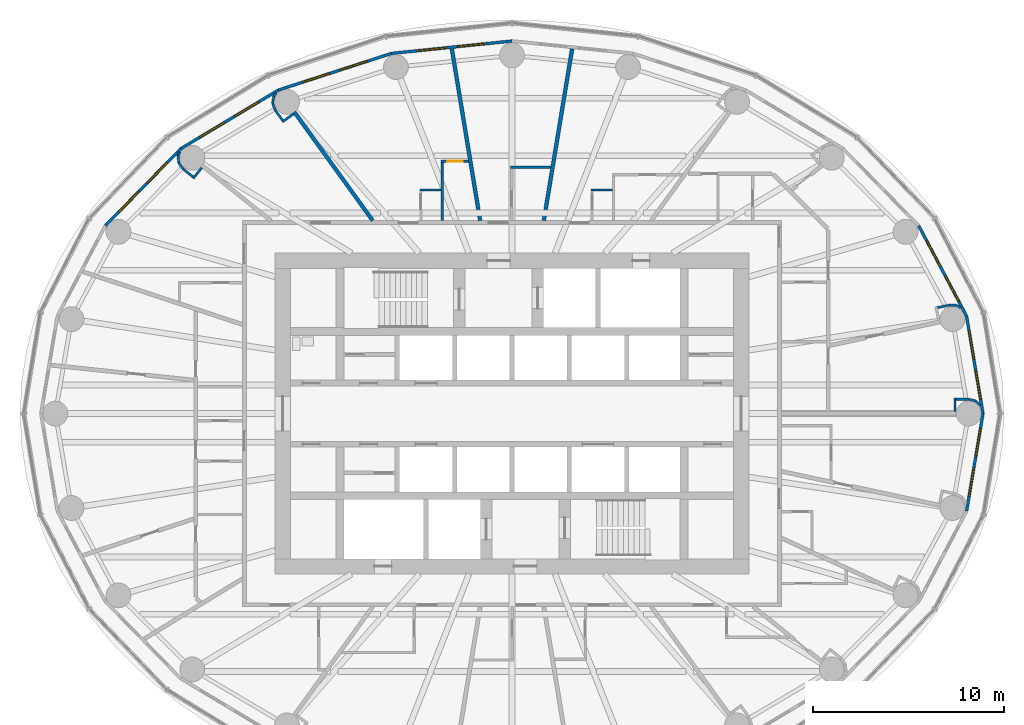
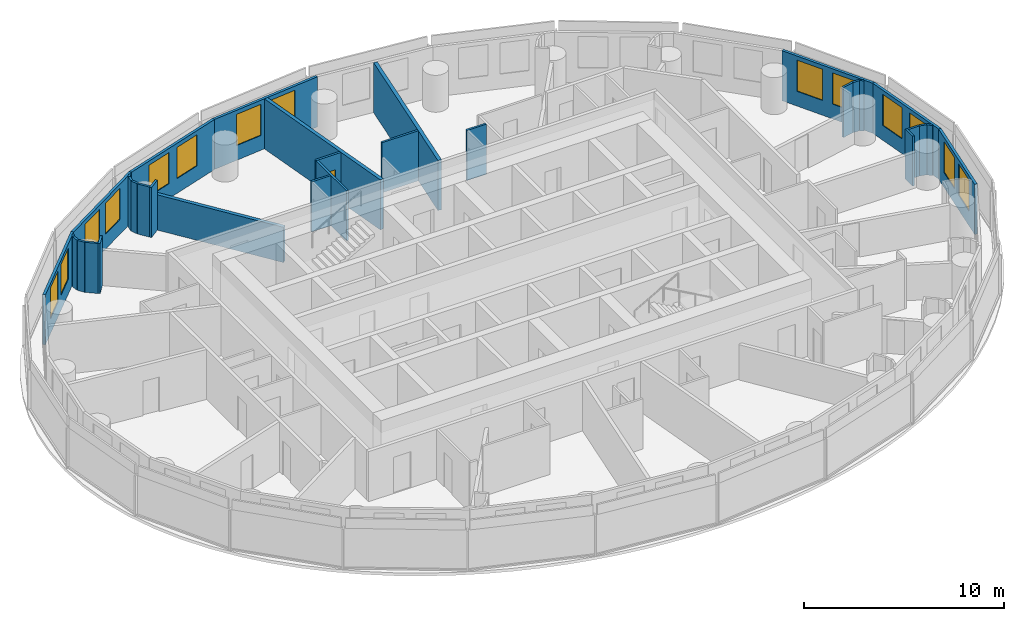
# One storey, part 11 of 14: 32 walls, 14 windows, 1 door, 15 openings.
"""IFC4 building model written with IfcOpenShell, lengths in metres."""

import ifcopenshell
import ifcopenshell.guid

model = None  # the IFC model being written
_history = None  # IfcOwnerHistory: only IFC2X3 demands one
_inside = {}  # id of a spatial element -> (the spatial element, [elements in it])
_under = {}  # id of a project, library or spatial element -> (it, [spatial elements below it])
_declared = {}  # id of a project -> (the project, [libraries it declares])
_typed = {}  # id of a type object -> (the type object, [elements of that type])
_made_of = {}  # id of a material, layer set ... -> (it, [elements and type objects made of it])


def new_model(schema):
    """Start an empty IFC model of exactly this schema.

    Asked for "IFC4X3", IfcOpenShell would pick the latest addendum, in which some entities
    have other attributes; the version numbers below select the first issue.
    IFC2X3 requires an IfcOwnerHistory on every rooted entity: one is made here for all.
    """
    global model, _history
    if schema == "IFC4X3":
        model = ifcopenshell.file(schema_version=(4, 3, 0, 0))
    else:
        model = ifcopenshell.file(schema=schema)
    _inside.clear()
    _under.clear()
    _declared.clear()
    _typed.clear()
    _made_of.clear()
    _history = None
    if model.schema == "IFC2X3":
        org = make("IfcOrganization", Name="unknown")
        user = make(
            "IfcPersonAndOrganization",
            ThePerson=make("IfcPerson", FamilyName="unknown"),
            TheOrganization=org,
        )
        app = make(
            "IfcApplication",
            ApplicationDeveloper=org,
            Version="unknown",
            ApplicationFullName="unknown",
            ApplicationIdentifier="unknown",
        )
        _history = make(
            "IfcOwnerHistory",
            OwningUser=user,
            OwningApplication=app,
            ChangeAction="ADDED",
            CreationDate=0,
        )
    return model


def make(cls, **values):
    """One entity of the class cls with the attributes given. An attribute that is None is left unset."""
    return model.create_entity(
        cls, **{name: value for name, value in values.items() if value is not None}
    )


def rooted(cls, **values):
    """An entity with a GlobalId (a new one), such as an element, a storey or a relation."""
    return make(cls, GlobalId=ifcopenshell.guid.new(), OwnerHistory=_history, **values)


def si_unit(unit_type, name, prefix=None):
    """IfcSIUnit, for example si_unit("LENGTHUNIT", "METRE", prefix="MILLI")."""
    return make("IfcSIUnit", UnitType=unit_type, Prefix=prefix, Name=name)


def assignment(units):
    """IfcUnitAssignment: the units of a project."""
    return None if units is None else make("IfcUnitAssignment", Units=units)


def point(xyz):
    """IfcCartesianPoint."""
    return None if xyz is None else make("IfcCartesianPoint", Coordinates=xyz)


def direction(xyz):
    """IfcDirection."""
    return None if xyz is None else make("IfcDirection", DirectionRatios=xyz)


def frame(location, z_axis=None, x_axis=None):
    """IfcAxis2Placement3D, a coordinate frame: its origin and axes. An axis left out is left unset."""
    return make(
        "IfcAxis2Placement3D",
        Location=point(location),
        Axis=direction(z_axis),
        RefDirection=direction(x_axis),
    )


def frame_2d(location, x_axis=None):
    """IfcAxis2Placement2D, a coordinate frame in the plane: its origin and x axis."""
    return make(
        "IfcAxis2Placement2D", Location=point(location), RefDirection=direction(x_axis)
    )


def origin():
    """The frame at (0, 0, 0) with its axes left unset."""
    return frame((0.0, 0.0, 0.0))


def place(relative_to, where):
    """IfcLocalPlacement: puts the frame where relative to a parent placement (None: the world)."""
    return make(
        "IfcLocalPlacement", PlacementRelTo=relative_to, RelativePlacement=where
    )


def context(
    kind, dimensions, precision=None, world=None, true_north=None, identifier=None
):
    """IfcGeometricRepresentationContext, for example the 3D "Model" context."""
    return make(
        "IfcGeometricRepresentationContext",
        ContextIdentifier=identifier,
        ContextType=kind,
        CoordinateSpaceDimension=dimensions,
        Precision=precision,
        WorldCoordinateSystem=world,
        TrueNorth=true_north,
    )


def subcontext(parent, identifier, kind, view, scale=None):
    """IfcGeometricRepresentationSubContext, for example "Body" below "Model"."""
    return make(
        "IfcGeometricRepresentationSubContext",
        ContextIdentifier=identifier,
        ContextType=kind,
        ParentContext=parent,
        TargetScale=scale,
        TargetView=view,
    )


def project(units=None, contexts=None):
    """IfcProject with its units and contexts."""
    return rooted(
        "IfcProject",
        Name="project",
        RepresentationContexts=contexts,
        UnitsInContext=assignment(units),
    )


def spatial(cls, under=None, at=None, **own):
    """A site, building, storey or space (cls), placed at a placement, below another one or the project."""
    s = rooted(cls, ObjectPlacement=at, **own)
    if under is not None:
        _under.setdefault(under.id(), (under, []))[1].append(s)
    return s


def profile(cls, at=None, kind="AREA", **sizes):
    """A parametric profile (cls). Its sizes go by their IFC names, for example OverallWidth=200.0."""
    return make(cls, ProfileType=kind, Position=at, **sizes)


def rectangle(**sizes):
    """IfcRectangleProfileDef."""
    return profile("IfcRectangleProfileDef", **sizes)


def extrude(swept, where, along, depth):
    """IfcExtrudedAreaSolid: the profile swept, set in the frame where, extruded along a direction by depth."""
    return make(
        "IfcExtrudedAreaSolid",
        SweptArea=swept,
        Position=where,
        ExtrudedDirection=direction(along),
        Depth=depth,
    )


def shape(context_of_items, identifier, shape_type, items):
    """IfcShapeRepresentation: the items that make up one representation, for example the "Body"."""
    return make(
        "IfcShapeRepresentation",
        ContextOfItems=context_of_items,
        RepresentationIdentifier=identifier,
        RepresentationType=shape_type,
        Items=items,
    )


def material(Name=None, Category=None):
    """IfcMaterial."""
    return make("IfcMaterial", Name=Name, Category=Category)


def layer(
    of_material, thickness, ventilated=None, Name=None, Category=None, Priority=None
):
    """IfcMaterialLayer: one layer of a wall or slab, of a material (None: an air gap)."""
    return make(
        "IfcMaterialLayer",
        Material=of_material,
        LayerThickness=thickness,
        IsVentilated=ventilated,
        Name=Name,
        Category=Category,
        Priority=Priority,
    )


def layer_set(layers, Name=None):
    """IfcMaterialLayerSet."""
    return make("IfcMaterialLayerSet", MaterialLayers=layers, LayerSetName=Name)


def made_of(thing, what):
    """Note that an element or type object is made of a material, layer set ...; save() writes the relation."""
    if what is not None:
        _made_of.setdefault(what.id(), (what, []))[1].append(thing)
    return thing


def type_object(cls, material=None, **own):
    """A type object (cls), such as IfcWallType, which elements share."""
    return made_of(rooted(cls, **own), material)


def element(
    cls,
    number,
    at=None,
    inside=None,
    cuts=None,
    type_object=None,
    material=None,
    context=None,
    identifier="Body",
    shape_type=None,
    held_by="IfcProductDefinitionShape",
    body=None,
    shapes=None,
    **own,
):
    """One element of the class cls, such as IfcWall. Its Tag is "e" and its number.

    at: its placement. inside: the storey or other place that contains it. cuts: it is an
    opening in that element (IfcRelVoidsElement). A single representation is given by context,
    identifier, shape_type and body (its items); several are given by shapes. held_by: the class
    of the entity that holds the representations. save() writes the other relations.
    """
    e = rooted(cls, Tag="e%d" % number, ObjectPlacement=at, **own)
    if body is not None:
        shapes = [shape(context, identifier, shape_type, body)]
    if shapes is not None:
        e.Representation = make(held_by, Representations=shapes)
    if inside is not None:
        _inside.setdefault(inside.id(), (inside, []))[1].append(e)
    if cuts is not None:
        rooted(
            "IfcRelVoidsElement", RelatingBuildingElement=cuts, RelatedOpeningElement=e
        )
    if type_object is not None:
        _typed.setdefault(type_object.id(), (type_object, []))[1].append(e)
    return made_of(e, material)


def fill(opening, filler):
    """IfcRelFillsElement: the door or window that sits in an opening."""
    return rooted(
        "IfcRelFillsElement",
        RelatingOpeningElement=opening,
        RelatedBuildingElement=filler,
    )


def aggregate(whole, parts):
    """IfcRelAggregates: a whole, such as a stair, and the parts it consists of."""
    return rooted("IfcRelAggregates", RelatingObject=whole, RelatedObjects=parts)


def save(model, path):
    """Write the relations noted so far, then the file.

    IfcRelAggregates (storeys below a building ...), IfcRelContainedInSpatialStructure (elements
    in a storey), IfcRelDefinesByType, IfcRelAssociatesMaterial and IfcRelDeclares: one each for
    every whole, place, type object, material and project.
    """
    for whole, parts in _under.values():
        aggregate(whole, parts)
    for where, things in _inside.values():
        rooted(
            "IfcRelContainedInSpatialStructure",
            RelatedElements=things,
            RelatingStructure=where,
        )
    for kind, things in _typed.values():
        rooted("IfcRelDefinesByType", RelatedObjects=things, RelatingType=kind)
    for what, things in _made_of.values():
        rooted("IfcRelAssociatesMaterial", RelatedObjects=things, RelatingMaterial=what)
    for by, libraries in _declared.values():
        rooted("IfcRelDeclares", RelatingContext=by, RelatedDefinitions=libraries)
    model.write(path)


model = new_model("IFC4")

# Units and contexts
model_context = context("Model", 3, precision=1e-05, world=origin(), true_north=direction((0.0, 1.0)))
body_context = subcontext(model_context, "Body", "Model", "MODEL_VIEW")
ifc_project = project(units=[si_unit("LENGTHUNIT", "METRE"), si_unit("AREAUNIT", "SQUARE_METRE"), si_unit("VOLUMEUNIT", "CUBIC_METRE"), si_unit("PLANEANGLEUNIT", "RADIAN"), si_unit("MASSUNIT", "GRAM", prefix="KILO")], contexts=[model_context])

# Site, building, storey
site_placement = place(None, origin())
site = spatial("IfcSite", under=ifc_project, at=site_placement, CompositionType="ELEMENT")
building_placement = place(site_placement, origin())
building = spatial("IfcBuilding", under=site, at=building_placement, Name="Hankou Lantern Tower", CompositionType="ELEMENT")
storey_placement = place(building_placement, frame((0.0, 0.0, 135.300048828125)))
storey = spatial("IfcBuildingStorey", under=building, at=storey_placement, Name="L35", CompositionType="ELEMENT", Elevation=135.300048828125)

# Wall, openings, windows
ifc_material_1 = material(Name="Aluminium spandrel panel on steel studs", Category="steel")
ifc_layer_1 = layer(ifc_material_1, 0.14990234375)
ifc_layer_set_1 = layer_set([ifc_layer_1], Name="Aluminium spandrel panel on steel studs")
wall_type_1 = type_object("IfcWallType", Name="EW1 INNER SKIN WALL 150", PredefinedType="ELEMENTEDWALL", material=ifc_layer_set_1)
wall_1_placement = place(storey_placement, frame((24.64990234375, 0.0, 0.0), z_axis=(0.0, 0.0, 1.0), x_axis=(-0.165883894218, 0.986145290329, 0.0)))
wall_1 = element("IfcWall", 1, at=wall_1_placement, inside=storey, type_object=wall_type_1, Name="Inner skin R01-R02 L35", PredefinedType="ELEMENTEDWALL", context=body_context, shape_type="SweptSolid", body=[
    extrude(rectangle(XDim=5.171630859375, YDim=0.14990234375, at=frame_2d((2.5859375, 0.0))), origin(), (0.0, 0.0, 1.0), 3.050048828125),
])
opening_1_placement = place(wall_1_placement, frame((0.785888671875, 0.0, 0.89990234375)))
opening_1 = element("IfcOpeningElement", 2, at=opening_1_placement, cuts=wall_1, Name="Opening W2", PredefinedType="OPENING", context=body_context, shape_type="SweptSolid", body=[
    extrude(rectangle(XDim=1.5, YDim=1.89990234375, at=frame_2d((0.75, 0.949951171875))), frame((0.0, 0.0849609375, 0.0), z_axis=(0.0, -1.0, 0.0), x_axis=(1.0, 0.0, 0.0)), (0.0, 0.0, 1.0), 0.169921875),
])
opening_2_placement = place(wall_1_placement, frame((2.8857421875, 0.0, 0.89990234375)))
opening_2 = element("IfcOpeningElement", 3, at=opening_2_placement, cuts=wall_1, Name="Opening W2", PredefinedType="OPENING", context=body_context, shape_type="SweptSolid", body=[
    extrude(rectangle(XDim=1.5, YDim=1.89990234375, at=frame_2d((0.75, 0.949951171875))), frame((0.0, 0.0849609375, 0.0), z_axis=(0.0, -1.0, 0.0), x_axis=(1.0, 0.0, 0.0)), (0.0, 0.0, 1.0), 0.169921875),
])
ifc_material_2 = material(Name="Aluminium framed double glazed window", Category="aluminium")
window_type = type_object("IfcWindowType", Name="W2 GUEST ROOM WINDOW 1500X1900", PartitioningType="DOUBLE_PANEL_VERTICAL", PredefinedType="WINDOW", material=ifc_material_2)
window_1_placement = place(opening_1_placement, origin())
window_1 = element("IfcWindow", 4, at=window_1_placement, inside=storey, type_object=window_type, Name="Window R01.1 L35", OverallHeight=1.89990234375, OverallWidth=1.5, PartitioningType="SINGLE_PANEL", PredefinedType="WINDOW", context=body_context, shape_type="SweptSolid", body=[
    extrude(rectangle(XDim=1.5, YDim=1.89990234375, at=frame_2d((0.75, 0.949951171875))), frame((0.0, 0.030029296875, 0.0), z_axis=(0.0, -1.0, 0.0), x_axis=(1.0, 0.0, 0.0)), (0.0, 0.0, 1.0), 0.06005859375),
])
fill(opening_1, window_1)
window_2_placement = place(opening_2_placement, origin())
window_2 = element("IfcWindow", 5, at=window_2_placement, inside=storey, type_object=window_type, Name="Window R01.2 L35", OverallHeight=1.89990234375, OverallWidth=1.5, PartitioningType="SINGLE_PANEL", PredefinedType="WINDOW", context=body_context, shape_type="SweptSolid", body=[
    extrude(rectangle(XDim=1.5, YDim=1.89990234375, at=frame_2d((0.75, 0.949951171875))), frame((0.0, 0.030029296875, 0.0), z_axis=(0.0, -1.0, 0.0), x_axis=(1.0, 0.0, 0.0)), (0.0, 0.0, 1.0), 0.06005859375),
])
fill(opening_2, window_2)

wall_2_placement = place(storey_placement, frame((23.7919921875, 5.10009765625, 0.0), z_axis=(0.0, 0.0, 1.0), x_axis=(-0.467814388454, 0.883826735257, 0.0)))
wall_2 = element("IfcWall", 6, at=wall_2_placement, inside=storey, type_object=wall_type_1, Name="Inner skin R02-R03 L35", PredefinedType="ELEMENTEDWALL", context=body_context, shape_type="SweptSolid", body=[
    extrude(rectangle(XDim=5.35400390625, YDim=0.14990234375, at=frame_2d((2.677001953125, 0.0))), origin(), (0.0, 0.0, 1.0), 3.050048828125),
])
opening_3_placement = place(wall_2_placement, frame((0.876953125, 0.0, 0.89990234375)))
opening_3 = element("IfcOpeningElement", 7, at=opening_3_placement, cuts=wall_2, Name="Opening W2", PredefinedType="OPENING", context=body_context, shape_type="SweptSolid", body=[
    extrude(rectangle(XDim=1.5, YDim=1.89990234375, at=frame_2d((0.75, 0.949951171875))), frame((0.0, 0.0849609375, 0.0), z_axis=(0.0, -1.0, 0.0), x_axis=(1.0, 0.0, 0.0)), (0.0, 0.0, 1.0), 0.169921875),
])
opening_4_placement = place(wall_2_placement, frame((2.97705078125, 0.0, 0.89990234375)))
opening_4 = element("IfcOpeningElement", 8, at=opening_4_placement, cuts=wall_2, Name="Opening W2", PredefinedType="OPENING", context=body_context, shape_type="SweptSolid", body=[
    extrude(rectangle(XDim=1.5, YDim=1.89990234375, at=frame_2d((0.75, 0.949951171875))), frame((0.0, 0.0849609375, 0.0), z_axis=(0.0, -1.0, 0.0), x_axis=(1.0, 0.0, 0.0)), (0.0, 0.0, 1.0), 0.169921875),
])
window_3_placement = place(opening_3_placement, origin())
window_3 = element("IfcWindow", 9, at=window_3_placement, inside=storey, type_object=window_type, Name="Window R02.1 L35", OverallHeight=1.89990234375, OverallWidth=1.5, PartitioningType="SINGLE_PANEL", PredefinedType="WINDOW", context=body_context, shape_type="SweptSolid", body=[
    extrude(rectangle(XDim=1.5, YDim=1.89990234375, at=frame_2d((0.75, 0.949951171875))), frame((0.0, 0.030029296875, 0.0), z_axis=(0.0, -1.0, 0.0), x_axis=(1.0, 0.0, 0.0)), (0.0, 0.0, 1.0), 0.06005859375),
])
fill(opening_3, window_3)
window_4_placement = place(opening_4_placement, origin())
window_4 = element("IfcWindow", 10, at=window_4_placement, inside=storey, type_object=window_type, Name="Window R02.2 L35", OverallHeight=1.89990234375, OverallWidth=1.5, PartitioningType="SINGLE_PANEL", PredefinedType="WINDOW", context=body_context, shape_type="SweptSolid", body=[
    extrude(rectangle(XDim=1.5, YDim=1.89990234375, at=frame_2d((0.75, 0.949951171875))), frame((0.0, 0.030029296875, 0.0), z_axis=(0.0, -1.0, 0.0), x_axis=(1.0, 0.0, 0.0)), (0.0, 0.0, 1.0), 0.06005859375),
])
fill(opening_4, window_4)

wall_3_placement = place(storey_placement, frame((0.0, 19.5, 0.0), z_axis=(0.0, 0.0, 1.0), x_axis=(-0.994735690163, -0.102473931887, 0.0)))
wall_3 = element("IfcWall", 11, at=wall_3_placement, inside=storey, type_object=wall_type_1, Name="Inner skin R07-R08 L35", PredefinedType="ELEMENTEDWALL", context=body_context, shape_type="SweptSolid", body=[
    extrude(rectangle(XDim=6.346923828125, YDim=0.14990234375, at=frame_2d((3.17333984375, 0.0))), origin(), (0.0, 0.0, 1.0), 3.050048828125),
])
opening_5_placement = place(wall_3_placement, frame((1.373291015625, 0.0, 0.89990234375)))
opening_5 = element("IfcOpeningElement", 12, at=opening_5_placement, cuts=wall_3, Name="Opening W2", PredefinedType="OPENING", context=body_context, shape_type="SweptSolid", body=[
    extrude(rectangle(XDim=1.5, YDim=1.89990234375, at=frame_2d((0.75, 0.949951171875))), frame((0.0, 0.0849609375, 0.0), z_axis=(0.0, -1.0, 0.0), x_axis=(1.0, 0.0, 0.0)), (0.0, 0.0, 1.0), 0.169921875),
])
opening_6_placement = place(wall_3_placement, frame((3.473388671875, 0.0, 0.89990234375)))
opening_6 = element("IfcOpeningElement", 13, at=opening_6_placement, cuts=wall_3, Name="Opening W2", PredefinedType="OPENING", context=body_context, shape_type="SweptSolid", body=[
    extrude(rectangle(XDim=1.5, YDim=1.89990234375, at=frame_2d((0.75, 0.949951171875))), frame((0.0, 0.0849609375, 0.0), z_axis=(0.0, -1.0, 0.0), x_axis=(1.0, 0.0, 0.0)), (0.0, 0.0, 1.0), 0.169921875),
])
window_5_placement = place(opening_5_placement, origin())
window_5 = element("IfcWindow", 14, at=window_5_placement, inside=storey, type_object=window_type, Name="Window R07.1 L35", OverallHeight=1.89990234375, OverallWidth=1.5, PartitioningType="SINGLE_PANEL", PredefinedType="WINDOW", context=body_context, shape_type="SweptSolid", body=[
    extrude(rectangle(XDim=1.5, YDim=1.89990234375, at=frame_2d((0.75, 0.949951171875))), frame((0.0, 0.030029296875, 0.0), z_axis=(0.0, -1.0, 0.0), x_axis=(1.0, 0.0, 0.0)), (0.0, 0.0, 1.0), 0.06005859375),
])
fill(opening_5, window_5)
window_6_placement = place(opening_6_placement, origin())
window_6 = element("IfcWindow", 15, at=window_6_placement, inside=storey, type_object=window_type, Name="Window R07.2 L35", OverallHeight=1.89990234375, OverallWidth=1.5, PartitioningType="SINGLE_PANEL", PredefinedType="WINDOW", context=body_context, shape_type="SweptSolid", body=[
    extrude(rectangle(XDim=1.5, YDim=1.89990234375, at=frame_2d((0.75, 0.949951171875))), frame((0.0, 0.030029296875, 0.0), z_axis=(0.0, -1.0, 0.0), x_axis=(1.0, 0.0, 0.0)), (0.0, 0.0, 1.0), 0.06005859375),
])
fill(opening_6, window_6)

wall_4_placement = place(storey_placement, frame((-6.3134765625, 18.849609375, 0.0), z_axis=(0.0, 0.0, 1.0), x_axis=(-0.951272691506, -0.308350881944, 0.0)))
wall_4 = element("IfcWall", 16, at=wall_4_placement, inside=storey, type_object=wall_type_1, Name="Inner skin R08-R09 L35", PredefinedType="ELEMENTEDWALL", context=body_context, shape_type="SweptSolid", body=[
    extrude(rectangle(XDim=6.210693359375, YDim=0.14990234375, at=frame_2d((3.10546875, 0.0))), origin(), (0.0, 0.0, 1.0), 3.050048828125),
])
opening_7_placement = place(wall_4_placement, frame((1.305419921875, 0.0, 0.89990234375)))
opening_7 = element("IfcOpeningElement", 17, at=opening_7_placement, cuts=wall_4, Name="Opening W2", PredefinedType="OPENING", context=body_context, shape_type="SweptSolid", body=[
    extrude(rectangle(XDim=1.5, YDim=1.89990234375, at=frame_2d((0.75, 0.949951171875))), frame((0.0, 0.0849609375, 0.0), z_axis=(0.0, -1.0, 0.0), x_axis=(1.0, 0.0, 0.0)), (0.0, 0.0, 1.0), 0.169921875),
])
opening_8_placement = place(wall_4_placement, frame((3.4052734375, 0.0, 0.89990234375)))
opening_8 = element("IfcOpeningElement", 18, at=opening_8_placement, cuts=wall_4, Name="Opening W2", PredefinedType="OPENING", context=body_context, shape_type="SweptSolid", body=[
    extrude(rectangle(XDim=1.5, YDim=1.89990234375, at=frame_2d((0.75, 0.949951171875))), frame((0.0, 0.0849609375, 0.0), z_axis=(0.0, -1.0, 0.0), x_axis=(1.0, 0.0, 0.0)), (0.0, 0.0, 1.0), 0.169921875),
])
window_7_placement = place(opening_7_placement, origin())
window_7 = element("IfcWindow", 19, at=window_7_placement, inside=storey, type_object=window_type, Name="Window R08.1 L35", OverallHeight=1.89990234375, OverallWidth=1.5, PartitioningType="SINGLE_PANEL", PredefinedType="WINDOW", context=body_context, shape_type="SweptSolid", body=[
    extrude(rectangle(XDim=1.5, YDim=1.89990234375, at=frame_2d((0.75, 0.949951171875))), frame((0.0, 0.030029296875, 0.0), z_axis=(0.0, -1.0, 0.0), x_axis=(1.0, 0.0, 0.0)), (0.0, 0.0, 1.0), 0.06005859375),
])
fill(opening_7, window_7)
window_8_placement = place(opening_8_placement, origin())
window_8 = element("IfcWindow", 20, at=window_8_placement, inside=storey, type_object=window_type, Name="Window R08.2 L35", OverallHeight=1.89990234375, OverallWidth=1.5, PartitioningType="SINGLE_PANEL", PredefinedType="WINDOW", context=body_context, shape_type="SweptSolid", body=[
    extrude(rectangle(XDim=1.5, YDim=1.89990234375, at=frame_2d((0.75, 0.949951171875))), frame((0.0, 0.030029296875, 0.0), z_axis=(0.0, -1.0, 0.0), x_axis=(1.0, 0.0, 0.0)), (0.0, 0.0, 1.0), 0.06005859375),
])
fill(opening_8, window_8)

wall_5_placement = place(storey_placement, frame((-12.221435546875, 16.9345703125, 0.0), z_axis=(0.0, 0.0, 1.0), x_axis=(-0.857308573723, -0.514802884044, 0.0)))
wall_5 = element("IfcWall", 21, at=wall_5_placement, inside=storey, type_object=wall_type_1, Name="Inner skin R09-R10 L35", PredefinedType="ELEMENTEDWALL", context=body_context, shape_type="SweptSolid", body=[
    extrude(rectangle(XDim=5.961181640625, YDim=0.14990234375, at=frame_2d((2.98046875, 0.0))), origin(), (0.0, 0.0, 1.0), 3.050048828125),
])
opening_9_placement = place(wall_5_placement, frame((1.1806640625, 0.0, 0.89990234375)))
opening_9 = element("IfcOpeningElement", 22, at=opening_9_placement, cuts=wall_5, Name="Opening W2", PredefinedType="OPENING", context=body_context, shape_type="SweptSolid", body=[
    extrude(rectangle(XDim=1.5, YDim=1.89990234375, at=frame_2d((0.75, 0.949951171875))), frame((0.0, 0.0849609375, 0.0), z_axis=(0.0, -1.0, 0.0), x_axis=(1.0, 0.0, 0.0)), (0.0, 0.0, 1.0), 0.169921875),
])
opening_10_placement = place(wall_5_placement, frame((3.280517578125, 0.0, 0.89990234375)))
opening_10 = element("IfcOpeningElement", 23, at=opening_10_placement, cuts=wall_5, Name="Opening W2", PredefinedType="OPENING", context=body_context, shape_type="SweptSolid", body=[
    extrude(rectangle(XDim=1.5, YDim=1.89990234375, at=frame_2d((0.75, 0.949951171875))), frame((0.0, 0.0849609375, 0.0), z_axis=(0.0, -1.0, 0.0), x_axis=(1.0, 0.0, 0.0)), (0.0, 0.0, 1.0), 0.169921875),
])
window_9_placement = place(opening_9_placement, origin())
window_9 = element("IfcWindow", 24, at=window_9_placement, inside=storey, type_object=window_type, Name="Window R09.1 L35", OverallHeight=1.89990234375, OverallWidth=1.5, PartitioningType="SINGLE_PANEL", PredefinedType="WINDOW", context=body_context, shape_type="SweptSolid", body=[
    extrude(rectangle(XDim=1.5, YDim=1.89990234375, at=frame_2d((0.75, 0.949951171875))), frame((0.0, 0.030029296875, 0.0), z_axis=(0.0, -1.0, 0.0), x_axis=(1.0, 0.0, 0.0)), (0.0, 0.0, 1.0), 0.06005859375),
])
fill(opening_9, window_9)
window_10_placement = place(opening_10_placement, origin())
window_10 = element("IfcWindow", 25, at=window_10_placement, inside=storey, type_object=window_type, Name="Window R09.2 L35", OverallHeight=1.89990234375, OverallWidth=1.5, PartitioningType="SINGLE_PANEL", PredefinedType="WINDOW", context=body_context, shape_type="SweptSolid", body=[
    extrude(rectangle(XDim=1.5, YDim=1.89990234375, at=frame_2d((0.75, 0.949951171875))), frame((0.0, 0.030029296875, 0.0), z_axis=(0.0, -1.0, 0.0), x_axis=(1.0, 0.0, 0.0)), (0.0, 0.0, 1.0), 0.06005859375),
])
fill(opening_10, window_10)

wall_6_placement = place(storey_placement, frame((-17.33203125, 13.86572265625, 0.0), z_axis=(0.0, 0.0, 1.0), x_axis=(-0.700136650834, -0.714008872605, 0.0)))
wall_6 = element("IfcWall", 26, at=wall_6_placement, inside=storey, type_object=wall_type_1, Name="Inner skin R10-R11 L35", PredefinedType="ELEMENTEDWALL", context=body_context, shape_type="SweptSolid", body=[
    extrude(rectangle(XDim=5.6494140625, YDim=0.14990234375, at=frame_2d((2.82470703125, 0.0))), origin(), (0.0, 0.0, 1.0), 3.050048828125),
])
opening_11_placement = place(wall_6_placement, frame((1.024658203125, 0.0, 0.89990234375)))
opening_11 = element("IfcOpeningElement", 27, at=opening_11_placement, cuts=wall_6, Name="Opening W2", PredefinedType="OPENING", context=body_context, shape_type="SweptSolid", body=[
    extrude(rectangle(XDim=1.5, YDim=1.89990234375, at=frame_2d((0.75, 0.949951171875))), frame((0.0, 0.0849609375, 0.0), z_axis=(0.0, -1.0, 0.0), x_axis=(1.0, 0.0, 0.0)), (0.0, 0.0, 1.0), 0.169921875),
])
opening_12_placement = place(wall_6_placement, frame((3.12451171875, 0.0, 0.89990234375)))
opening_12 = element("IfcOpeningElement", 28, at=opening_12_placement, cuts=wall_6, Name="Opening W2", PredefinedType="OPENING", context=body_context, shape_type="SweptSolid", body=[
    extrude(rectangle(XDim=1.5, YDim=1.89990234375, at=frame_2d((0.75, 0.949951171875))), frame((0.0, 0.0849609375, 0.0), z_axis=(0.0, -1.0, 0.0), x_axis=(1.0, 0.0, 0.0)), (0.0, 0.0, 1.0), 0.169921875),
])
window_11_placement = place(opening_11_placement, origin())
window_11 = element("IfcWindow", 29, at=window_11_placement, inside=storey, type_object=window_type, Name="Window R10.1 L35", OverallHeight=1.89990234375, OverallWidth=1.5, PartitioningType="SINGLE_PANEL", PredefinedType="WINDOW", context=body_context, shape_type="SweptSolid", body=[
    extrude(rectangle(XDim=1.5, YDim=1.89990234375, at=frame_2d((0.75, 0.949951171875))), frame((0.0, 0.030029296875, 0.0), z_axis=(0.0, -1.0, 0.0), x_axis=(1.0, 0.0, 0.0)), (0.0, 0.0, 1.0), 0.06005859375),
])
fill(opening_11, window_11)
window_12_placement = place(opening_12_placement, origin())
window_12 = element("IfcWindow", 30, at=window_12_placement, inside=storey, type_object=window_type, Name="Window R10.2 L35", OverallHeight=1.89990234375, OverallWidth=1.5, PartitioningType="SINGLE_PANEL", PredefinedType="WINDOW", context=body_context, shape_type="SweptSolid", body=[
    extrude(rectangle(XDim=1.5, YDim=1.89990234375, at=frame_2d((0.75, 0.949951171875))), frame((0.0, 0.030029296875, 0.0), z_axis=(0.0, -1.0, 0.0), x_axis=(1.0, 0.0, 0.0)), (0.0, 0.0, 1.0), 0.06005859375),
])
fill(opening_12, window_12)

wall_7_placement = place(storey_placement, frame((23.7919921875, -5.10009765625, 0.0), z_axis=(0.0, 0.0, 1.0), x_axis=(0.165883894218, 0.986145290329, 0.0)))
wall_7 = element("IfcWall", 31, at=wall_7_placement, inside=storey, type_object=wall_type_1, Name="Inner skin R24-R01 L35", PredefinedType="ELEMENTEDWALL", context=body_context, shape_type="SweptSolid", body=[
    extrude(rectangle(XDim=5.171630859375, YDim=0.14990234375, at=frame_2d((2.5859375, 0.0))), origin(), (0.0, 0.0, 1.0), 3.050048828125),
])
opening_13_placement = place(wall_7_placement, frame((0.785888671875, 0.0, 0.89990234375)))
opening_13 = element("IfcOpeningElement", 32, at=opening_13_placement, cuts=wall_7, Name="Opening W2", PredefinedType="OPENING", context=body_context, shape_type="SweptSolid", body=[
    extrude(rectangle(XDim=1.5, YDim=1.89990234375, at=frame_2d((0.75, 0.949951171875))), frame((0.0, 0.0849609375, 0.0), z_axis=(0.0, -1.0, 0.0), x_axis=(1.0, 0.0, 0.0)), (0.0, 0.0, 1.0), 0.169921875),
])
opening_14_placement = place(wall_7_placement, frame((2.8857421875, 0.0, 0.89990234375)))
opening_14 = element("IfcOpeningElement", 33, at=opening_14_placement, cuts=wall_7, Name="Opening W2", PredefinedType="OPENING", context=body_context, shape_type="SweptSolid", body=[
    extrude(rectangle(XDim=1.5, YDim=1.89990234375, at=frame_2d((0.75, 0.949951171875))), frame((0.0, 0.0849609375, 0.0), z_axis=(0.0, -1.0, 0.0), x_axis=(1.0, 0.0, 0.0)), (0.0, 0.0, 1.0), 0.169921875),
])
window_13_placement = place(opening_13_placement, origin())
window_13 = element("IfcWindow", 34, at=window_13_placement, inside=storey, type_object=window_type, Name="Window R24.1 L35", OverallHeight=1.89990234375, OverallWidth=1.5, PartitioningType="SINGLE_PANEL", PredefinedType="WINDOW", context=body_context, shape_type="SweptSolid", body=[
    extrude(rectangle(XDim=1.5, YDim=1.89990234375, at=frame_2d((0.75, 0.949951171875))), frame((0.0, 0.030029296875, 0.0), z_axis=(0.0, -1.0, 0.0), x_axis=(1.0, 0.0, 0.0)), (0.0, 0.0, 1.0), 0.06005859375),
])
fill(opening_13, window_13)
window_14_placement = place(opening_14_placement, origin())
window_14 = element("IfcWindow", 35, at=window_14_placement, inside=storey, type_object=window_type, Name="Window R24.2 L35", OverallHeight=1.89990234375, OverallWidth=1.5, PartitioningType="SINGLE_PANEL", PredefinedType="WINDOW", context=body_context, shape_type="SweptSolid", body=[
    extrude(rectangle(XDim=1.5, YDim=1.89990234375, at=frame_2d((0.75, 0.949951171875))), frame((0.0, 0.030029296875, 0.0), z_axis=(0.0, -1.0, 0.0), x_axis=(1.0, 0.0, 0.0)), (0.0, 0.0, 1.0), 0.06005859375),
])
fill(opening_14, window_14)

# Walls
ifc_material_3 = material(Name="Masonry lightweight concrete block", Category="masonry")
ifc_layer_2 = layer(ifc_material_3, 0.199951171875)
ifc_layer_set_2 = layer_set([ifc_layer_2], Name="Masonry lightweight concrete block")
wall_type_2 = type_object("IfcWallType", Name="IW1 GUEST ROOM PARTY WALL 200", PredefinedType="PARTITIONING", material=ifc_layer_set_2)
for number, where, z_axis, x_axis, name in (
    (36, (1.665283203125, 10.10009765625, 0.0), (0.0, 0.0, 1.0), (0.162660519103, 0.986682094459, 0.0), "Party wall R06-R07"),
    (37, (-1.665283203125, 10.10009765625, 0.0), (0.0, 0.0, 1.0), (-0.162660519103, 0.986682094459, 0.0), "Party wall R07-R08"),
):
    element("IfcWall", number, at=place(storey_placement, frame(where, z_axis=z_axis, x_axis=x_axis)), inside=storey, type_object=wall_type_2, Name=name, PredefinedType="PARTITIONING", context=body_context, shape_type="SweptSolid", body=[
        extrude(rectangle(XDim=9.110595703125, YDim=0.199951171875, at=frame_2d((4.55517578125, 0.0))), origin(), (0.0, 0.0, 1.0), 3.050048828125),
    ])
ifc_material_4 = material(Name="Masonry lightweight concrete block", Category="masonry")
ifc_layer_3 = layer(ifc_material_4, 0.1201171875)
ifc_layer_set_3 = layer_set([ifc_layer_3], Name="Masonry lightweight concrete block")
wall_type_3 = type_object("IfcWallType", Name="IW3 BATHROOM WALL 120", PredefinedType="PARTITIONING", material=ifc_layer_set_3)
wall_8_placement = place(storey_placement, frame((2.02685546875, 12.89990234375, 0.0), z_axis=(0.0, 0.0, 1.0), x_axis=(-1.0, 0.0, 0.0)))
element("IfcWall", 38, at=wall_8_placement, inside=storey, type_object=wall_type_3, Name="Box wall 3501 1", PredefinedType="PARTITIONING", context=body_context, shape_type="SweptSolid", body=[
    extrude(rectangle(XDim=2.1015625, YDim=0.1201171875, at=frame_2d((1.05078125, 0.0))), origin(), (0.0, 0.0, 1.0), 3.050048828125),
])

# Wall, opening, door
wall_9_placement = place(storey_placement, frame((-2.2763671875, 13.199951171875, 0.0), z_axis=(0.0, 0.0, 1.0), x_axis=(-1.0, 0.0, 0.0)))
wall_9 = element("IfcWall", 39, at=wall_9_placement, inside=storey, type_object=wall_type_3, Name="Box wall 3502 1", PredefinedType="PARTITIONING", context=body_context, shape_type="SweptSolid", body=[
    extrude(rectangle(XDim=1.4287109375, YDim=0.1201171875, at=frame_2d((0.71435546875, 0.0))), origin(), (0.0, 0.0, 1.0), 3.050048828125),
])
opening_15_placement = place(wall_9_placement, frame((0.314453125, 0.0, 0.0)))
opening_15 = element("IfcOpeningElement", 40, at=opening_15_placement, cuts=wall_9, Name="Opening D3", PredefinedType="OPENING", context=body_context, shape_type="SweptSolid", body=[
    extrude(rectangle(XDim=0.800048828125, YDim=2.10009765625, at=frame_2d((0.39990234375, 1.050048828125))), frame((0.0, 0.070068359375, 0.0), z_axis=(0.0, -1.0, 0.0), x_axis=(1.0, 0.0, 0.0)), (0.0, 0.0, 1.0), 0.14013671875),
])
ifc_material_5 = material(Name="Timber door leaf", Category="wood")
door_type = type_object("IfcDoorType", Name="D3 BATHROOM DOOR 800X2100", OperationType="SINGLE_SWING_LEFT", PredefinedType="DOOR", material=ifc_material_5)
door_placement = place(opening_15_placement, origin())
door = element("IfcDoor", 41, at=door_placement, inside=storey, type_object=door_type, Name="En-suite bathroom 3502 door", OperationType="SINGLE_SWING_RIGHT", OverallHeight=2.10009765625, OverallWidth=0.800048828125, PredefinedType="DOOR", context=body_context, shape_type="SweptSolid", body=[
    extrude(rectangle(XDim=0.800048828125, YDim=2.10009765625, at=frame_2d((0.39990234375, 1.050048828125))), frame((0.0, 0.02490234375, 0.0), z_axis=(0.0, -1.0, 0.0), x_axis=(1.0, 0.0, 0.0)), (0.0, 0.0, 1.0), 0.050048828125),
])
fill(opening_15, door)

# Walls
wall_10_placement = place(storey_placement, frame((-3.645263671875, 10.10009765625, 0.0), z_axis=(0.0, 0.0, 1.0), x_axis=(0.0, 1.0, 0.0)))
element("IfcWall", 42, at=wall_10_placement, inside=storey, type_object=wall_type_3, Name="Box wall 3502 1", PredefinedType="PARTITIONING", context=body_context, shape_type="SweptSolid", body=[
    extrude(rectangle(XDim=3.039794921875, YDim=0.1201171875, at=frame_2d((1.52001953125, 0.0))), origin(), (0.0, 0.0, 1.0), 3.050048828125),
])
wall_11_placement = place(storey_placement, frame((-3.705078125, 11.699951171875, 0.0), z_axis=(0.0, 0.0, 1.0), x_axis=(-1.0, 0.0, 0.0)))
element("IfcWall", 43, at=wall_11_placement, inside=storey, type_object=wall_type_3, Name="Box wall 3502 2", PredefinedType="PARTITIONING", context=body_context, shape_type="SweptSolid", body=[
    extrude(rectangle(XDim=1.1201171875, YDim=0.1201171875, at=frame_2d((0.56005859375, 0.0))), origin(), (0.0, 0.0, 1.0), 3.050048828125),
])
wall_12_placement = place(storey_placement, frame((5.2490234375, 11.699951171875, 0.0), z_axis=(0.0, 0.0, 1.0), x_axis=(-1.0, 0.0, 0.0)))
element("IfcWall", 44, at=wall_12_placement, inside=storey, type_object=wall_type_3, Name="Box wall 3513 2", PredefinedType="PARTITIONING", context=body_context, shape_type="SweptSolid", body=[
    extrude(rectangle(XDim=1.119873046875, YDim=0.1201171875, at=frame_2d((0.56005859375, 0.0))), origin(), (0.0, 0.0, 1.0), 3.050048828125),
])
ifc_material_6 = material(Name="Masonry lightweight concrete block", Category="masonry")
ifc_layer_4 = layer(ifc_material_6, 0.1201171875)
ifc_layer_set_4 = layer_set([ifc_layer_4], Name="Masonry lightweight concrete block")
wall_type_4 = type_object("IfcWallType", Name="IW4 PARTITION 120", PredefinedType="PARTITIONING", material=ifc_layer_set_4)
wall_13_placement = place(storey_placement, frame((23.18994140625, 0.10009765625, 0.0), z_axis=(0.0, 0.0, 1.0), x_axis=(0.0, 1.0, 0.0)))
element("IfcWall", 45, at=wall_13_placement, inside=storey, type_object=wall_type_4, Name="Column casing R01 return", PredefinedType="PARTITIONING", context=body_context, shape_type="SweptSolid", body=[
    extrude(rectangle(XDim=0.715576171875, YDim=0.1201171875, at=frame_2d((0.35791015625, 0.0))), origin(), (0.0, 0.0, 1.0), 3.050048828125),
])
wall_14_placement = place(storey_placement, frame((23.25, 0.755859375, 0.0), z_axis=(0.0, 0.0, 1.0), x_axis=(1.0, 0.0, 0.0)))
element("IfcWall", 46, at=wall_14_placement, inside=storey, type_object=wall_type_4, Name="Column casing R01", PredefinedType="PARTITIONING", context=body_context, shape_type="SweptSolid", body=[
    extrude(rectangle(XDim=0.64990234375, YDim=0.1201171875, at=frame_2d((0.324951171875, 0.0))), origin(), (0.0, 0.0, 1.0), 3.050048828125),
])
wall_15_placement = place(storey_placement, frame((23.89990234375, 0.755859375, 0.0), z_axis=(0.0, 0.0, 1.0), x_axis=(0.965892334856, -0.2589440045, 0.0)))
element("IfcWall", 47, at=wall_15_placement, inside=storey, type_object=wall_type_4, Name="Column casing R01", PredefinedType="PARTITIONING", context=body_context, shape_type="SweptSolid", body=[
    extrude(rectangle(XDim=0.391357421875, YDim=0.1201171875, at=frame_2d((0.19580078125, 0.0))), origin(), (0.0, 0.0, 1.0), 3.050048828125),
])
wall_16_placement = place(storey_placement, frame((24.27783203125, 0.654541015625, 0.0), z_axis=(0.0, 0.0, 1.0), x_axis=(0.707106781187, -0.707106781187, 0.0)))
element("IfcWall", 48, at=wall_16_placement, inside=storey, type_object=wall_type_4, Name="Column casing R01", PredefinedType="PARTITIONING", context=body_context, shape_type="SweptSolid", body=[
    extrude(rectangle(XDim=0.317626953125, YDim=0.1201171875, at=frame_2d((0.15869140625, 0.0))), origin(), (0.0, 0.0, 1.0), 3.050048828125),
])
wall_17_placement = place(storey_placement, frame((22.260986328125, 5.544677734375, 0.0), z_axis=(0.0, 0.0, 1.0), x_axis=(0.977785919621, 0.209606048079, 0.0)))
element("IfcWall", 49, at=wall_17_placement, inside=storey, type_object=wall_type_4, Name="Column casing R02", PredefinedType="PARTITIONING", context=body_context, shape_type="SweptSolid", body=[
    extrude(rectangle(XDim=0.64990234375, YDim=0.1201171875, at=frame_2d((0.324951171875, 0.0))), origin(), (0.0, 0.0, 1.0), 3.050048828125),
])
wall_18_placement = place(storey_placement, frame((22.896484375, 5.680908203125, 0.0), z_axis=(0.0, 0.0, 1.0), x_axis=(0.998721012592, -0.050560251262, 0.0)))
element("IfcWall", 50, at=wall_18_placement, inside=storey, type_object=wall_type_4, Name="Column casing R02", PredefinedType="PARTITIONING", context=body_context, shape_type="SweptSolid", body=[
    extrude(rectangle(XDim=0.39111328125, YDim=0.1201171875, at=frame_2d((0.195556640625, 0.0))), origin(), (0.0, 0.0, 1.0), 3.050048828125),
])
wall_19_placement = place(storey_placement, frame((23.287109375, 5.6611328125, 0.0), z_axis=(0.0, 0.0, 1.0), x_axis=(0.839916668497, -0.542715385798, 0.0)))
element("IfcWall", 51, at=wall_19_placement, inside=storey, type_object=wall_type_4, Name="Column casing R02", PredefinedType="PARTITIONING", context=body_context, shape_type="SweptSolid", body=[
    extrude(rectangle(XDim=0.226806640625, YDim=0.1201171875, at=frame_2d((0.11328125, 0.0))), origin(), (0.0, 0.0, 1.0), 3.050048828125),
])
wall_20_placement = place(storey_placement, frame((-11.44091796875, 15.68212890625, 0.0), z_axis=(0.0, 0.0, 1.0), x_axis=(-0.810796141244, -0.585328640461, 0.0)))
element("IfcWall", 52, at=wall_20_placement, inside=storey, type_object=wall_type_4, Name="Column casing R09 return", PredefinedType="PARTITIONING", context=body_context, shape_type="SweptSolid", body=[
    extrude(rectangle(XDim=0.7158203125, YDim=0.1201171875, at=frame_2d((0.35791015625, 0.0))), origin(), (0.0, 0.0, 1.0), 3.050048828125),
])
wall_21_placement = place(storey_placement, frame((-12.0078125, 15.346923828125, 0.0), z_axis=(0.0, 0.0, 1.0), x_axis=(-0.585175102182, 0.810906961239, 0.0)))
element("IfcWall", 53, at=wall_21_placement, inside=storey, type_object=wall_type_4, Name="Column casing R09", PredefinedType="PARTITIONING", context=body_context, shape_type="SweptSolid", body=[
    extrude(rectangle(XDim=0.64990234375, YDim=0.1201171875, at=frame_2d((0.324951171875, 0.0))), origin(), (0.0, 0.0, 1.0), 3.050048828125),
])
for number, where, z_axis, x_axis, name in (
    (54, (-12.38818359375, 15.8740234375, 0.0), (0.0, 0.0, 1.0), (-0.355086882425, 0.934833303819, 0.0), "Column casing R09"),
    (55, (-12.527099609375, 16.23974609375, 0.0), (0.0, 0.0, 1.0), (0.159134335894, 0.987256938765, 0.0), "Column casing R09"),
):
    element("IfcWall", number, at=place(storey_placement, frame(where, z_axis=z_axis, x_axis=x_axis)), inside=storey, type_object=wall_type_4, Name=name, PredefinedType="PARTITIONING", context=body_context, shape_type="SweptSolid", body=[
        extrude(rectangle(XDim=0.39111328125, YDim=0.1201171875, at=frame_2d((0.195556640625, 0.0))), origin(), (0.0, 0.0, 1.0), 3.050048828125),
    ])
wall_22_placement = place(storey_placement, frame((-12.46484375, 16.6259765625, 0.0), z_axis=(0.0, 0.0, 1.0), x_axis=(0.631672951162, 0.775234985517, 0.0)))
element("IfcWall", 56, at=wall_22_placement, inside=storey, type_object=wall_type_4, Name="Column casing R09", PredefinedType="PARTITIONING", context=body_context, shape_type="SweptSolid", body=[
    extrude(rectangle(XDim=0.18701171875, YDim=0.1201171875, at=frame_2d((0.093505859375, 0.0))), origin(), (0.0, 0.0, 1.0), 3.050048828125),
])
wall_23_placement = place(storey_placement, frame((-16.241943359375, 12.865478515625, 0.0), z_axis=(0.0, 0.0, 1.0), x_axis=(-0.624861414622, -0.780735686719, 0.0)))
element("IfcWall", 57, at=wall_23_placement, inside=storey, type_object=wall_type_4, Name="Column casing R10 return", PredefinedType="PARTITIONING", context=body_context, shape_type="SweptSolid", body=[
    extrude(rectangle(XDim=0.7158203125, YDim=0.1201171875, at=frame_2d((0.35791015625, 0.0))), origin(), (0.0, 0.0, 1.0), 3.050048828125),
])
wall_24_placement = place(storey_placement, frame((-16.698486328125, 12.390869140625, 0.0), z_axis=(0.0, 0.0, 1.0), x_axis=(-0.780722240533, 0.624878214645, 0.0)))
element("IfcWall", 58, at=wall_24_placement, inside=storey, type_object=wall_type_4, Name="Column casing R10", PredefinedType="PARTITIONING", context=body_context, shape_type="SweptSolid", body=[
    extrude(rectangle(XDim=0.650146484375, YDim=0.1201171875, at=frame_2d((0.3251953125, 0.0))), origin(), (0.0, 0.0, 1.0), 3.050048828125),
])
wall_25_placement = place(storey_placement, frame((-17.2060546875, 12.797119140625, 0.0), z_axis=(0.0, 0.0, 1.0), x_axis=(-0.592986095904, 0.805212698648, 0.0)))
element("IfcWall", 59, at=wall_25_placement, inside=storey, type_object=wall_type_4, Name="Column casing R10", PredefinedType="PARTITIONING", context=body_context, shape_type="SweptSolid", body=[
    extrude(rectangle(XDim=0.39111328125, YDim=0.1201171875, at=frame_2d((0.195556640625, 0.0))), origin(), (0.0, 0.0, 1.0), 3.050048828125),
])
wall_26_placement = place(storey_placement, frame((-17.43798828125, 13.112060546875, 0.0), z_axis=(0.0, 0.0, 1.0), x_axis=(-0.109815164188, 0.993952025862, 0.0)))
element("IfcWall", 60, at=wall_26_placement, inside=storey, type_object=wall_type_4, Name="Column casing R10", PredefinedType="PARTITIONING", context=body_context, shape_type="SweptSolid", body=[
    extrude(rectangle(XDim=0.391357421875, YDim=0.1201171875, at=frame_2d((0.19580078125, 0.0))), origin(), (0.0, 0.0, 1.0), 3.050048828125),
])
wall_27_placement = place(storey_placement, frame((-17.48095703125, 13.5009765625, 0.0), z_axis=(0.0, 0.0, 1.0), x_axis=(0.401504188288, 0.915857186895, 0.0)))
element("IfcWall", 61, at=wall_27_placement, inside=storey, type_object=wall_type_4, Name="Column casing R10", PredefinedType="PARTITIONING", context=body_context, shape_type="SweptSolid", body=[
    extrude(rectangle(XDim=0.20556640625, YDim=0.1201171875, at=frame_2d((0.102783203125, 0.0))), origin(), (0.0, 0.0, 1.0), 3.050048828125),
])
ifc_material_7 = material(Name="Masonry lightweight concrete block", Category="masonry")
ifc_layer_5 = layer(ifc_material_7, 0.199951171875)
ifc_layer_set_5 = layer_set([ifc_layer_5], Name="Masonry lightweight concrete block")
wall_type_5 = type_object("IfcWallType", Name="IW8 PARTITION 200", PredefinedType="PARTITIONING", material=ifc_layer_set_5)
wall_28_placement = place(storey_placement, frame((-7.2890625, 10.10009765625, 0.0), z_axis=(0.0, 0.0, 1.0), x_axis=(-0.585217367024, 0.81087645997, 0.0)))
element("IfcWall", 62, at=wall_28_placement, inside=storey, type_object=wall_type_5, Name="Partition R09", PredefinedType="PARTITIONING", context=body_context, shape_type="SweptSolid", body=[
    extrude(rectangle(XDim=7.01611328125, YDim=0.199951171875, at=frame_2d((3.508056640625, 0.0))), origin(), (0.0, 0.0, 1.0), 2.14990234375),
])

save(model, "model.ifc")
